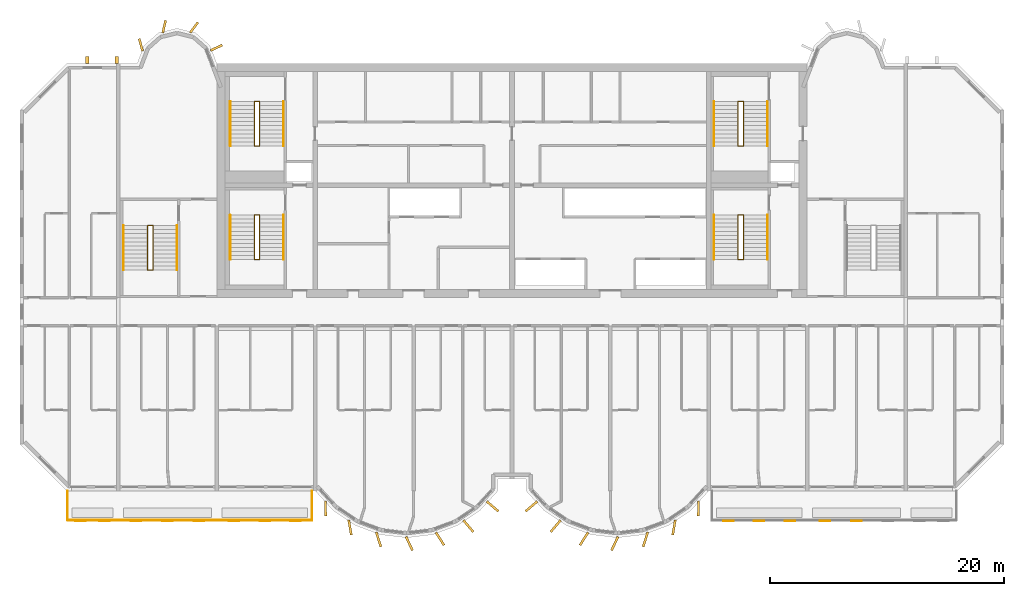
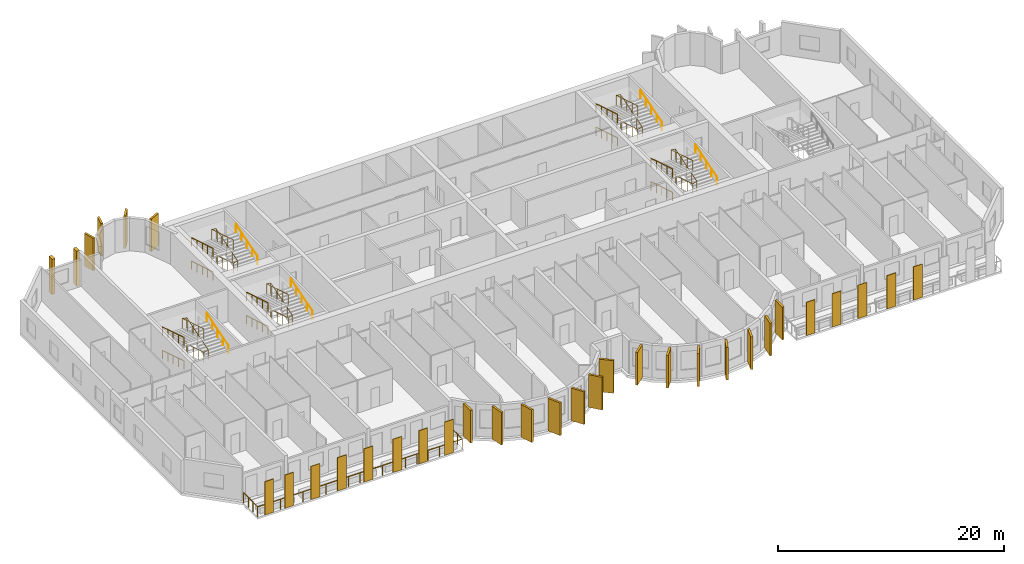
# One storey, part 11 of 13: 33 coverings, 21 railings.
"""IFC4 building model written with IfcOpenShell, lengths in metres."""

from ifc_helpers import new_model, si_unit, direction, frame, origin, origin_2d, place, context, subcontext, project, spatial, rectangle, circle, extrude, source, transform, mapped, material, layer, layer_set, material_profile, profile_set, type_object, element, save


model = new_model("IFC4")

# Units and contexts
model_context = context("Model", 3, precision=1e-05, world=origin(), true_north=direction((0.0, 1.0)))
body_context = subcontext(model_context, "Body", "Model", "MODEL_VIEW")
ifc_project = project(units=[si_unit("LENGTHUNIT", "METRE"), si_unit("AREAUNIT", "SQUARE_METRE"), si_unit("VOLUMEUNIT", "CUBIC_METRE"), si_unit("PLANEANGLEUNIT", "RADIAN"), si_unit("MASSUNIT", "GRAM", prefix="KILO")], contexts=[model_context])

# Site, building, storey
site_placement = place(None, origin())
site = spatial("IfcSite", under=ifc_project, at=site_placement, CompositionType="ELEMENT")
building_placement = place(site_placement, origin())
building = spatial("IfcBuilding", under=site, at=building_placement, Name="Vanashikhar Sky Hotel", CompositionType="ELEMENT")
storey_placement = place(building_placement, frame((0.0, 0.0, 182.0)))
storey = spatial("IfcBuildingStorey", under=building, at=storey_placement, Name="L44", CompositionType="ELEMENT", Elevation=182.0)

# Coverings
ifc_material_1 = material(Name="Terracotta", Category="masonry")
ifc_layer = layer(ifc_material_1, 0.06005859375)
ifc_layer_set = layer_set([ifc_layer], Name="Terracotta baguette screen")
covering_type_1 = type_object("IfcCoveringType", Name="Terracotta baguette screen", PredefinedType="CLADDING", material=ifc_layer_set)
shared_shape_1 = source(origin(), body_context, "Body", "SweptSolid", [
    extrude(rectangle(XDim=0.89990234375, YDim=0.06005859375, at=origin_2d()), origin(), (0.0, 0.0, 1.0), 3.60009765625),
])
for number, where, z_axis, x_axis, name in (
    (1, (13.574951171875, 2.929931640625, -0.050048828125), (0.0, 0.0, 1.0), (1.0, 0.0, 0.0), "Terracotta screen"),
    (2, (15.625, 2.929931640625, -0.050048828125), (0.0, 0.0, 1.0), (1.0, 0.0, 0.0), "Terracotta screen"),
    (3, (18.300048828125, 2.929931640625, -0.050048828125), (0.0, 0.0, 1.0), (1.0, 0.0, 0.0), "Terracotta screen"),
    (4, (21.0, 2.929931640625, -0.050048828125), (0.0, 0.0, 1.0), (1.0, 0.0, 0.0), "Terracotta screen"),
    (5, (23.699951171875, 2.929931640625, -0.050048828125), (0.0, 0.0, 1.0), (1.0, 0.0, 0.0), "Terracotta screen"),
    (6, (26.666748046875, 2.929931640625, -0.050048828125), (0.0, 0.0, 1.0), (1.0, 0.0, 0.0), "Terracotta screen"),
    (7, (29.300048828125, 2.929931640625, -0.050048828125), (0.0, 0.0, 1.0), (1.0, 0.0, 0.0), "Terracotta screen"),
    (8, (31.933349609375, 2.929931640625, -0.050048828125), (0.0, 0.0, 1.0), (1.0, 0.0, 0.0), "Terracotta screen"),
    (9, (68.86669921875, 2.929931640625, -0.050048828125), (0.0, 0.0, 1.0), (1.0, 0.0, 0.0), "Terracotta screen"),
    (10, (71.5, 2.929931640625, -0.050048828125), (0.0, 0.0, 1.0), (1.0, 0.0, 0.0), "Terracotta screen"),
    (11, (74.13330078125, 2.929931640625, -0.050048828125), (0.0, 0.0, 1.0), (1.0, 0.0, 0.0), "Terracotta screen"),
    (12, (77.10009765625, 2.929931640625, -0.050048828125), (0.0, 0.0, 1.0), (1.0, 0.0, 0.0), "Terracotta screen"),
    (13, (79.800048828125, 2.929931640625, -0.050048828125), (0.0, 0.0, 1.0), (1.0, 0.0, 0.0), "Terracotta screen"),
):
    element("IfcCovering", number, at=place(storey_placement, frame(where, z_axis=z_axis, x_axis=x_axis)), inside=storey, type_object=covering_type_1, Name=name, PredefinedType="CLADDING", context=body_context, shape_type="MappedRepresentation", body=[
        mapped(shared_shape_1, transform((0.0, 0.0, 0.0), scale=1.0)),
    ])
ifc_material_2 = material(Name="Concrete M60 dark", Category="concrete")
ifc_material_profile_1 = material_profile(ifc_material_2, rectangle(XDim=1.300048828125, YDim=0.199951171875, at=origin_2d()))
ifc_profile_set_1 = profile_set([ifc_material_profile_1], Name="Fin 1300 x 200")
covering_type_2 = type_object("IfcCoveringType", Name="Fin 1300 x 200", PredefinedType="CLADDING", material=ifc_profile_set_1)
shared_shape_2 = source(origin(), body_context, "Body", "SweptSolid", [
    extrude(rectangle(XDim=1.300048828125, YDim=0.199951171875, at=origin_2d()), origin(), (0.0, 0.0, 1.0), 3.52001953125),
])
for number, where, z_axis, x_axis, name in (
    (14, (34.482421875, 3.992919921875, 0.0), (0.0, 0.0, 1.0), (0.011588726826, -0.999932848451, 0.0), "Fin F1-1"),
    (15, (36.572509765625, 2.3779296875, 0.0), (0.0, 0.0, 1.0), (0.16989991575, -0.985461322746, 0.0), "Fin F1-2"),
    (16, (39.00830078125, 1.35693359375, 0.0), (0.0, 0.0, 1.0), (0.303966551867, -0.952682704444, 0.0), "Fin F1-3"),
    (17, (41.63232421875, 1.00146484375, 0.0), (0.0, 0.0, 1.0), (0.422618261741, -0.906307787037, 0.0), "Fin F1-4"),
    (18, (44.251953125, 1.416015625, 0.0), (0.0, 0.0, 1.0), (0.534411358496, -0.845224526331, 0.0), "Fin F1-5"),
    (19, (46.676025390625, 2.5, 0.0), (0.0, 0.0, 1.0), (0.645697609467, -0.763593214433, 0.0), "Fin F1-6"),
    (20, (48.7412109375, 4.1845703125, 0.0), (0.0, 0.0, 1.0), (0.758543912032, -0.65162192529, 0.0), "Fin F1-7"),
    (21, (52.058837890625, 4.1845703125, 0.0), (0.0, 0.0, 1.0), (-0.758543912032, -0.65162192529, 0.0), "Fin F2-1"),
    (22, (54.123779296875, 2.5, 0.0), (0.0, 0.0, 1.0), (-0.645697609467, -0.763593214433, 0.0), "Fin F2-2"),
    (23, (56.547119140625, 1.416015625, 0.0), (0.0, 0.0, 1.0), (-0.534411358496, -0.845224526331, 0.0), "Fin F2-3"),
    (24, (59.16748046875, 1.00146484375, 0.0), (0.0, 0.0, 1.0), (-0.422618261741, -0.906307787037, 0.0), "Fin F2-4"),
    (25, (61.790771484375, 1.35693359375, 0.0), (0.0, 0.0, 1.0), (-0.303966551867, -0.952682704444, 0.0), "Fin F2-5"),
    (26, (64.2275390625, 2.3779296875, 0.0), (0.0, 0.0, 1.0), (-0.16989991575, -0.985461322746, 0.0), "Fin F2-6"),
    (27, (66.317626953125, 3.992919921875, 0.0), (0.0, 0.0, 1.0), (-0.011588726826, -0.999932848451, 0.0), "Fin F2-7"),
):
    element("IfcCovering", number, at=place(storey_placement, frame(where, z_axis=z_axis, x_axis=x_axis)), inside=storey, type_object=covering_type_2, Name=name, PredefinedType="CLADDING", context=body_context, shape_type="MappedRepresentation", body=[
        mapped(shared_shape_2, transform((0.0, 0.0, 0.0), scale=1.0)),
    ])
ifc_material_profile_2 = material_profile(ifc_material_2, rectangle(XDim=1.10009765625, YDim=0.199951171875, at=origin_2d()))
ifc_profile_set_2 = profile_set([ifc_material_profile_2], Name="Rear lobe fin 1100 x 200")
covering_type_3 = type_object("IfcCoveringType", Name="Rear lobe fin 1100 x 200", PredefinedType="CLADDING", material=ifc_profile_set_2)
shared_shape_3 = source(origin(), body_context, "Body", "SweptSolid", [
    extrude(rectangle(XDim=1.10009765625, YDim=0.199951171875, at=origin_2d()), origin(), (0.0, 0.0, 1.0), 3.52001953125),
])
for number, where, z_axis, x_axis, name in (
    (28, (18.720703125, 43.580078125, 0.0), (0.0, 0.0, 1.0), (-0.262711264409, 0.964874495234, 0.0), "Fin R1-1"),
    (29, (20.710205078125, 45.1455078125, 0.0), (0.0, 0.0, 1.0), (0.224644935864, 0.974440687159, 0.0), "Fin R1-2"),
    (30, (23.261962890625, 45.06640625, 0.0), (0.0, 0.0, 1.0), (0.602065892195, 0.798446404874, 0.0), "Fin R1-3"),
    (31, (25.169677734375, 43.33447265625, 0.0), (0.0, 0.0, 1.0), (0.908004291068, 0.418960866193, 0.0), "Fin R1-4"),
):
    element("IfcCovering", number, at=place(storey_placement, frame(where, z_axis=z_axis, x_axis=x_axis)), inside=storey, type_object=covering_type_3, Name=name, PredefinedType="CLADDING", context=body_context, shape_type="MappedRepresentation", body=[
        mapped(shared_shape_3, transform((0.0, 0.0, 0.0), scale=1.0)),
    ])

# Railing
ifc_material_3 = material(Name="Stainless steel 316", Category="steel")
railing_type_1 = type_object("IfcRailingType", Name="Balcony guard 1100", PredefinedType="GUARDRAIL", material=ifc_material_3)
shared_shape_4 = source(origin(), body_context, "Body", "SweptSolid", [
    extrude(circle(Radius=0.02392578125, at=origin_2d()), frame((0.0, 0.0, 1.076171875), z_axis=(0.0, -1.0, 0.0), x_axis=(1.0, 0.0, 0.0)), (0.0, 0.0, 1.0), 2.5),
    extrude(circle(Radius=0.02392578125, at=origin_2d()), frame((0.0, -2.5, 1.076171875), z_axis=(1.0, 0.0, 0.0), x_axis=(0.0, 1.0, 0.0)), (0.0, 0.0, 1.0), 20.880126953125),
    extrude(circle(Radius=0.02392578125, at=origin_2d()), frame((20.880126953125, -2.5, 1.076171875), z_axis=(0.0, 1.0, 0.0), x_axis=(-1.0, 0.0, 0.0)), (0.0, 0.0, 1.0), 2.5),
    extrude(circle(Radius=0.02099609375, at=origin_2d()), origin(), (0.0, 0.0, 1.0), 1.052001953125),
    extrude(circle(Radius=0.02099609375, at=origin_2d()), frame((0.0, -0.833251953125, 0.0)), (0.0, 0.0, 1.0), 1.052001953125),
    extrude(circle(Radius=0.02099609375, at=origin_2d()), frame((0.0, -1.666748046875, 0.0)), (0.0, 0.0, 1.0), 1.052001953125),
    extrude(circle(Radius=0.02099609375, at=origin_2d()), frame((0.0, -2.5, 0.0)), (0.0, 0.0, 1.0), 1.052001953125),
    extrude(circle(Radius=0.02099609375, at=origin_2d()), frame((1.159912109375, -2.5, 0.0)), (0.0, 0.0, 1.0), 1.052001953125),
    extrude(circle(Radius=0.02099609375, at=origin_2d()), frame((2.320068359375, -2.5, 0.0)), (0.0, 0.0, 1.0), 1.052001953125),
    extrude(circle(Radius=0.02099609375, at=origin_2d()), frame((3.47998046875, -2.5, 0.0)), (0.0, 0.0, 1.0), 1.052001953125),
    extrude(circle(Radius=0.02099609375, at=origin_2d()), frame((4.64013671875, -2.5, 0.0)), (0.0, 0.0, 1.0), 1.052001953125),
    extrude(circle(Radius=0.02099609375, at=origin_2d()), frame((5.800048828125, -2.5, 0.0)), (0.0, 0.0, 1.0), 1.052001953125),
    extrude(circle(Radius=0.02099609375, at=origin_2d()), frame((6.9599609375, -2.5, 0.0)), (0.0, 0.0, 1.0), 1.052001953125),
    extrude(circle(Radius=0.02099609375, at=origin_2d()), frame((8.1201171875, -2.5, 0.0)), (0.0, 0.0, 1.0), 1.052001953125),
    extrude(circle(Radius=0.02099609375, at=origin_2d()), frame((9.280029296875, -2.5, 0.0)), (0.0, 0.0, 1.0), 1.052001953125),
    extrude(circle(Radius=0.02099609375, at=origin_2d()), frame((10.43994140625, -2.5, 0.0)), (0.0, 0.0, 1.0), 1.052001953125),
    extrude(circle(Radius=0.02099609375, at=origin_2d()), frame((11.60009765625, -2.5, 0.0)), (0.0, 0.0, 1.0), 1.052001953125),
    extrude(circle(Radius=0.02099609375, at=origin_2d()), frame((12.760009765625, -2.5, 0.0)), (0.0, 0.0, 1.0), 1.052001953125),
    extrude(circle(Radius=0.02099609375, at=origin_2d()), frame((13.920166015625, -2.5, 0.0)), (0.0, 0.0, 1.0), 1.052001953125),
    extrude(circle(Radius=0.02099609375, at=origin_2d()), frame((15.080078125, -2.5, 0.0)), (0.0, 0.0, 1.0), 1.052001953125),
    extrude(circle(Radius=0.02099609375, at=origin_2d()), frame((16.239990234375, -2.5, 0.0)), (0.0, 0.0, 1.0), 1.052001953125),
    extrude(circle(Radius=0.02099609375, at=origin_2d()), frame((17.400146484375, -2.5, 0.0)), (0.0, 0.0, 1.0), 1.052001953125),
    extrude(circle(Radius=0.02099609375, at=origin_2d()), frame((18.56005859375, -2.5, 0.0)), (0.0, 0.0, 1.0), 1.052001953125),
    extrude(circle(Radius=0.02099609375, at=origin_2d()), frame((19.72021484375, -2.5, 0.0)), (0.0, 0.0, 1.0), 1.052001953125),
    extrude(circle(Radius=0.02099609375, at=origin_2d()), frame((20.880126953125, -2.5, 0.0)), (0.0, 0.0, 1.0), 1.052001953125),
    extrude(circle(Radius=0.02099609375, at=origin_2d()), frame((20.880126953125, -1.666748046875, 0.0)), (0.0, 0.0, 1.0), 1.052001953125),
    extrude(circle(Radius=0.02099609375, at=origin_2d()), frame((20.880126953125, -0.833251953125, 0.0)), (0.0, 0.0, 1.0), 1.052001953125),
    extrude(circle(Radius=0.02099609375, at=origin_2d()), frame((20.880126953125, 0.0, 0.0)), (0.0, 0.0, 1.0), 1.052001953125),
])
railing_1_placement = place(storey_placement, frame((12.4599609375, 5.5, -0.050048828125)))
element("IfcRailing", 32, at=railing_1_placement, inside=storey, type_object=railing_type_1, Name="Balcony guard", PredefinedType="GUARDRAIL", context=body_context, shape_type="MappedRepresentation", body=[
    mapped(shared_shape_4, transform((0.0, 0.0, 0.0), scale=1.0)),
])

# Coverings
ifc_material_profile_3 = material_profile(ifc_material_2, rectangle(XDim=0.60009765625, YDim=0.300048828125, at=origin_2d()))
ifc_profile_set_3 = profile_set([ifc_material_profile_3], Name="Rear rib 600 x 300")
covering_type_4 = type_object("IfcCoveringType", Name="Rear rib 600 x 300", PredefinedType="CLADDING", material=ifc_profile_set_3)
shared_shape_5 = source(origin(), body_context, "Body", "SweptSolid", [
    extrude(rectangle(XDim=0.60009765625, YDim=0.300048828125, at=origin_2d()), origin(), (0.0, 0.0, 1.0), 3.800048828125),
])
for number, where, z_axis, x_axis, name in (
    (33, (14.14990234375, 42.300048828125, -0.280029296875), (0.0, 0.0, 1.0), (0.0, 1.0, 0.0), "Rear rib"),
    (34, (16.64990234375, 42.300048828125, -0.280029296875), (0.0, 0.0, 1.0), (0.0, 1.0, 0.0), "Rear rib"),
):
    element("IfcCovering", number, at=place(storey_placement, frame(where, z_axis=z_axis, x_axis=x_axis)), inside=storey, type_object=covering_type_4, Name=name, PredefinedType="CLADDING", context=body_context, shape_type="MappedRepresentation", body=[
        mapped(shared_shape_5, transform((0.0, 0.0, 0.0), scale=1.0)),
    ])

# Railings
ifc_material_4 = material(Name="Steel S355", Category="steel")
railing_type_2 = type_object("IfcRailingType", Name="Stair handrail 900", PredefinedType="HANDRAIL", material=ifc_material_4)
shared_shape_6 = source(origin(), body_context, "Body", "SweptSolid", [
    extrude(circle(Radius=0.02392578125, at=origin_2d()), frame((0.0, 0.0, 0.8759765625), z_axis=(0.0, 0.95635109408, 0.292220096591), x_axis=(-1.0, 0.0, 0.0)), (0.0, 0.0, 1.0), 3.973388671875),
    extrude(circle(Radius=0.02099609375, at=origin_2d()), origin(), (0.0, 0.0, 1.0), 0.851806640625),
    extrude(circle(Radius=0.02099609375, at=origin_2d()), frame((0.0, 0.949951171875, 0.290283203125)), (0.0, 0.0, 1.0), 0.851806640625),
    extrude(circle(Radius=0.02099609375, at=origin_2d()), frame((0.0, 1.89990234375, 0.58056640625)), (0.0, 0.0, 1.0), 0.851806640625),
    extrude(circle(Radius=0.02099609375, at=origin_2d()), frame((0.0, 2.85009765625, 0.870849609375)), (0.0, 0.0, 1.0), 0.851806640625),
    extrude(circle(Radius=0.02099609375, at=origin_2d()), frame((0.0, 3.800048828125, 1.1611328125)), (0.0, 0.0, 1.0), 0.851806640625),
])
for number, where, name in (
    (35, (30.89990234375, 25.25, 1.372314453125), "Exit stair 1 handrail"),
    (36, (72.199951171875, 25.25, 1.372314453125), "Exit stair 2 handrail"),
    (37, (30.89990234375, 34.949951171875, 1.372314453125), "Exit stair 5 handrail"),
    (38, (72.199951171875, 34.949951171875, 1.372314453125), "Exit stair 6 handrail"),
):
    element("IfcRailing", number, at=place(storey_placement, frame(where)), inside=storey, type_object=railing_type_2, Name=name, PredefinedType="HANDRAIL", context=body_context, shape_type="MappedRepresentation", body=[
        mapped(shared_shape_6, transform((0.0, 0.0, 0.0), scale=1.0)),
    ])
shared_shape_7 = source(origin(), body_context, "Body", "SweptSolid", [
    extrude(circle(Radius=0.02392578125, at=origin_2d()), frame((0.0, 0.0, 0.8759765625), z_axis=(0.0, -0.95635109408, 0.292220096591), x_axis=(1.0, 0.0, 0.0)), (0.0, 0.0, 1.0), 3.973388671875),
    extrude(circle(Radius=0.02099609375, at=origin_2d()), origin(), (0.0, 0.0, 1.0), 0.851806640625),
    extrude(circle(Radius=0.02099609375, at=origin_2d()), frame((0.0, -0.949951171875, 0.290283203125)), (0.0, 0.0, 1.0), 0.851806640625),
    extrude(circle(Radius=0.02099609375, at=origin_2d()), frame((0.0, -1.89990234375, 0.58056640625)), (0.0, 0.0, 1.0), 0.851806640625),
    extrude(circle(Radius=0.02099609375, at=origin_2d()), frame((0.0, -2.85009765625, 0.870849609375)), (0.0, 0.0, 1.0), 0.851806640625),
    extrude(circle(Radius=0.02099609375, at=origin_2d()), frame((0.0, -3.800048828125, 1.1611328125)), (0.0, 0.0, 1.0), 0.851806640625),
])
for number, where, name in (
    (39, (26.35009765625, 29.050048828125, 0.10546875), "Exit stair 1 handrail"),
    (40, (26.35009765625, 29.050048828125, 2.638916015625), "Exit stair 1 handrail"),
    (41, (67.64990234375, 29.050048828125, 0.10546875), "Exit stair 2 handrail"),
    (42, (67.64990234375, 29.050048828125, 2.638916015625), "Exit stair 2 handrail"),
    (43, (26.35009765625, 38.75, 0.10546875), "Exit stair 5 handrail"),
    (44, (26.35009765625, 38.75, 2.638916015625), "Exit stair 5 handrail"),
    (45, (67.64990234375, 38.75, 0.10546875), "Exit stair 6 handrail"),
    (46, (67.64990234375, 38.75, 2.638916015625), "Exit stair 6 handrail"),
):
    element("IfcRailing", number, at=place(storey_placement, frame(where)), inside=storey, type_object=railing_type_2, Name=name, PredefinedType="HANDRAIL", context=body_context, shape_type="MappedRepresentation", body=[
        mapped(shared_shape_7, transform((0.0, 0.0, 0.0), scale=1.0)),
    ])
railing_type_3 = type_object("IfcRailingType", Name="Stair guard 1100", PredefinedType="GUARDRAIL", material=ifc_material_4)
shared_shape_8 = source(origin(), body_context, "Body", "SweptSolid", [
    extrude(circle(Radius=0.02392578125, at=origin_2d()), frame((0.0, 0.0, 1.076171875), z_axis=(-0.973638301096, 0.0, 0.228097476179), x_axis=(0.0, -1.0, 0.0)), (0.0, 0.0, 1.0), 0.46240234375),
    extrude(circle(Radius=0.02392578125, at=origin_2d()), frame((-0.4501953125, 0.0, 1.181640625), z_axis=(0.0, -0.95635109408, 0.292220096591), x_axis=(1.0, 0.0, 0.0)), (0.0, 0.0, 1.0), 3.973388671875),
    extrude(circle(Radius=0.02392578125, at=origin_2d()), frame((-0.4501953125, -3.800048828125, 2.3427734375), z_axis=(0.973520925263, 0.0, 0.228597917917), x_axis=(0.0, 1.0, 0.0)), (0.0, 0.0, 1.0), 0.46240234375),
    extrude(circle(Radius=0.02392578125, at=origin_2d()), frame((0.0, -3.800048828125, 2.4482421875), z_axis=(0.0, 0.95635109408, 0.292220096591), x_axis=(-1.0, 0.0, 0.0)), (0.0, 0.0, 1.0), 3.973388671875),
    extrude(circle(Radius=0.02392578125, at=origin_2d()), frame((0.0, 0.0, 3.609375), z_axis=(-0.973638301096, 0.0, 0.228097476179), x_axis=(0.0, -1.0, 0.0)), (0.0, 0.0, 1.0), 0.46240234375),
    extrude(circle(Radius=0.02392578125, at=origin_2d()), frame((-0.4501953125, 0.0, 3.71484375), z_axis=(0.0, -0.95635109408, 0.292220096591), x_axis=(1.0, 0.0, 0.0)), (0.0, 0.0, 1.0), 3.973388671875),
    extrude(circle(Radius=0.02099609375, at=origin_2d()), origin(), (0.0, 0.0, 1.0), 1.052001953125),
    extrude(circle(Radius=0.02099609375, at=origin_2d()), frame((-0.4501953125, 0.0, 0.10546875)), (0.0, 0.0, 1.0), 1.052001953125),
    extrude(circle(Radius=0.02099609375, at=origin_2d()), frame((-0.4501953125, -0.949951171875, 0.395751953125)), (0.0, 0.0, 1.0), 1.052001953125),
    extrude(circle(Radius=0.02099609375, at=origin_2d()), frame((-0.4501953125, -1.89990234375, 0.68603515625)), (0.0, 0.0, 1.0), 1.052001953125),
    extrude(circle(Radius=0.02099609375, at=origin_2d()), frame((-0.4501953125, -2.85009765625, 0.976318359375)), (0.0, 0.0, 1.0), 1.052001953125),
    extrude(circle(Radius=0.02099609375, at=origin_2d()), frame((-0.4501953125, -3.800048828125, 1.2666015625)), (0.0, 0.0, 1.0), 1.052001953125),
    extrude(circle(Radius=0.02099609375, at=origin_2d()), frame((0.0, -3.800048828125, 1.372314453125)), (0.0, 0.0, 1.0), 1.052001953125),
    extrude(circle(Radius=0.02099609375, at=origin_2d()), frame((0.0, -2.85009765625, 1.66259765625)), (0.0, 0.0, 1.0), 1.052001953125),
    extrude(circle(Radius=0.02099609375, at=origin_2d()), frame((0.0, -1.89990234375, 1.952880859375)), (0.0, 0.0, 1.0), 1.052001953125),
    extrude(circle(Radius=0.02099609375, at=origin_2d()), frame((0.0, -0.949951171875, 2.2431640625)), (0.0, 0.0, 1.0), 1.052001953125),
    extrude(circle(Radius=0.02099609375, at=origin_2d()), frame((0.0, 0.0, 2.533447265625)), (0.0, 0.0, 1.0), 1.052001953125),
    extrude(circle(Radius=0.02099609375, at=origin_2d()), frame((-0.4501953125, 0.0, 2.638916015625)), (0.0, 0.0, 1.0), 1.052001953125),
    extrude(circle(Radius=0.02099609375, at=origin_2d()), frame((-0.4501953125, -0.949951171875, 2.92919921875)), (0.0, 0.0, 1.0), 1.052001953125),
    extrude(circle(Radius=0.02099609375, at=origin_2d()), frame((-0.4501953125, -1.89990234375, 3.219482421875)), (0.0, 0.0, 1.0), 1.052001953125),
    extrude(circle(Radius=0.02099609375, at=origin_2d()), frame((-0.4501953125, -2.85009765625, 3.509765625)), (0.0, 0.0, 1.0), 1.052001953125),
    extrude(circle(Radius=0.02099609375, at=origin_2d()), frame((-0.4501953125, -3.800048828125, 3.800048828125)), (0.0, 0.0, 1.0), 1.052001953125),
])
for number, where, name in (
    (47, (28.85009765625, 29.050048828125, 0.0), "Exit stair 1 guard"),
    (48, (28.85009765625, 38.75, 0.0), "Exit stair 5 guard"),
):
    element("IfcRailing", number, at=place(storey_placement, frame(where)), inside=storey, type_object=railing_type_3, Name=name, PredefinedType="GUARDRAIL", context=body_context, shape_type="MappedRepresentation", body=[
        mapped(shared_shape_8, transform((0.0, 0.0, 0.0), scale=1.0)),
    ])
shared_shape_9 = source(origin(), body_context, "Body", "SweptSolid", [
    extrude(circle(Radius=0.02392578125, at=origin_2d()), frame((0.0, 0.0, 1.076171875), z_axis=(-0.973610808694, 0.0, 0.228214796178), x_axis=(0.0, -1.0, 0.0)), (0.0, 0.0, 1.0), 0.462158203125),
    extrude(circle(Radius=0.02392578125, at=origin_2d()), frame((-0.449951171875, 0.0, 1.181640625), z_axis=(0.0, -0.95635109408, 0.292220096591), x_axis=(1.0, 0.0, 0.0)), (0.0, 0.0, 1.0), 3.973388671875),
    extrude(circle(Radius=0.02392578125, at=origin_2d()), frame((-0.449951171875, -3.800048828125, 2.3427734375), z_axis=(0.973493315427, 0.0, 0.228715466945), x_axis=(0.0, 1.0, 0.0)), (0.0, 0.0, 1.0), 0.462158203125),
    extrude(circle(Radius=0.02392578125, at=origin_2d()), frame((0.0, -3.800048828125, 2.4482421875), z_axis=(0.0, 0.95635109408, 0.292220096591), x_axis=(-1.0, 0.0, 0.0)), (0.0, 0.0, 1.0), 3.973388671875),
    extrude(circle(Radius=0.02392578125, at=origin_2d()), frame((0.0, 0.0, 3.609375), z_axis=(-0.973610808694, 0.0, 0.228214796178), x_axis=(0.0, -1.0, 0.0)), (0.0, 0.0, 1.0), 0.462158203125),
    extrude(circle(Radius=0.02392578125, at=origin_2d()), frame((-0.449951171875, 0.0, 3.71484375), z_axis=(0.0, -0.95635109408, 0.292220096591), x_axis=(1.0, 0.0, 0.0)), (0.0, 0.0, 1.0), 3.973388671875),
    extrude(circle(Radius=0.02099609375, at=origin_2d()), origin(), (0.0, 0.0, 1.0), 1.052001953125),
    extrude(circle(Radius=0.02099609375, at=origin_2d()), frame((-0.449951171875, 0.0, 0.10546875)), (0.0, 0.0, 1.0), 1.052001953125),
    extrude(circle(Radius=0.02099609375, at=origin_2d()), frame((-0.449951171875, -0.949951171875, 0.395751953125)), (0.0, 0.0, 1.0), 1.052001953125),
    extrude(circle(Radius=0.02099609375, at=origin_2d()), frame((-0.449951171875, -1.89990234375, 0.68603515625)), (0.0, 0.0, 1.0), 1.052001953125),
    extrude(circle(Radius=0.02099609375, at=origin_2d()), frame((-0.449951171875, -2.85009765625, 0.976318359375)), (0.0, 0.0, 1.0), 1.052001953125),
    extrude(circle(Radius=0.02099609375, at=origin_2d()), frame((-0.449951171875, -3.800048828125, 1.2666015625)), (0.0, 0.0, 1.0), 1.052001953125),
    extrude(circle(Radius=0.02099609375, at=origin_2d()), frame((0.0, -3.800048828125, 1.372314453125)), (0.0, 0.0, 1.0), 1.052001953125),
    extrude(circle(Radius=0.02099609375, at=origin_2d()), frame((0.0, -2.85009765625, 1.66259765625)), (0.0, 0.0, 1.0), 1.052001953125),
    extrude(circle(Radius=0.02099609375, at=origin_2d()), frame((0.0, -1.89990234375, 1.952880859375)), (0.0, 0.0, 1.0), 1.052001953125),
    extrude(circle(Radius=0.02099609375, at=origin_2d()), frame((0.0, -0.949951171875, 2.2431640625)), (0.0, 0.0, 1.0), 1.052001953125),
    extrude(circle(Radius=0.02099609375, at=origin_2d()), frame((0.0, 0.0, 2.533447265625)), (0.0, 0.0, 1.0), 1.052001953125),
    extrude(circle(Radius=0.02099609375, at=origin_2d()), frame((-0.449951171875, 0.0, 2.638916015625)), (0.0, 0.0, 1.0), 1.052001953125),
    extrude(circle(Radius=0.02099609375, at=origin_2d()), frame((-0.449951171875, -0.949951171875, 2.92919921875)), (0.0, 0.0, 1.0), 1.052001953125),
    extrude(circle(Radius=0.02099609375, at=origin_2d()), frame((-0.449951171875, -1.89990234375, 3.219482421875)), (0.0, 0.0, 1.0), 1.052001953125),
    extrude(circle(Radius=0.02099609375, at=origin_2d()), frame((-0.449951171875, -2.85009765625, 3.509765625)), (0.0, 0.0, 1.0), 1.052001953125),
    extrude(circle(Radius=0.02099609375, at=origin_2d()), frame((-0.449951171875, -3.800048828125, 3.800048828125)), (0.0, 0.0, 1.0), 1.052001953125),
])
for number, where, name in (
    (49, (70.14990234375, 29.050048828125, 0.0), "Exit stair 2 guard"),
    (50, (70.14990234375, 38.75, 0.0), "Exit stair 6 guard"),
):
    element("IfcRailing", number, at=place(storey_placement, frame(where)), inside=storey, type_object=railing_type_3, Name=name, PredefinedType="GUARDRAIL", context=body_context, shape_type="MappedRepresentation", body=[
        mapped(shared_shape_9, transform((0.0, 0.0, 0.0), scale=1.0)),
    ])
shared_shape_10 = source(origin(), body_context, "Body", "SweptSolid", [
    extrude(circle(Radius=0.02392578125, at=origin_2d()), frame((0.0, 0.0, 0.8759765625), z_axis=(0.0, 0.956345846891, 0.292237268557), x_axis=(-1.0, 0.0, 0.0)), (0.0, 0.0, 1.0), 3.97314453125),
    extrude(circle(Radius=0.02099609375, at=origin_2d()), origin(), (0.0, 0.0, 1.0), 0.851806640625),
    extrude(circle(Radius=0.02099609375, at=origin_2d()), frame((0.0, 0.949951171875, 0.290283203125)), (0.0, 0.0, 1.0), 0.851806640625),
    extrude(circle(Radius=0.02099609375, at=origin_2d()), frame((0.0, 1.89990234375, 0.58056640625)), (0.0, 0.0, 1.0), 0.851806640625),
    extrude(circle(Radius=0.02099609375, at=origin_2d()), frame((0.0, 2.849853515625, 0.870849609375)), (0.0, 0.0, 1.0), 0.851806640625),
    extrude(circle(Radius=0.02099609375, at=origin_2d()), frame((0.0, 3.7998046875, 1.1611328125)), (0.0, 0.0, 1.0), 0.851806640625),
])
railing_2_placement = place(storey_placement, frame((21.800048828125, 24.35009765625, 1.372314453125)))
element("IfcRailing", 51, at=railing_2_placement, inside=storey, type_object=railing_type_2, Name="Exit stair 3 handrail", PredefinedType="HANDRAIL", context=body_context, shape_type="MappedRepresentation", body=[
    mapped(shared_shape_10, transform((0.0, 0.0, 0.0), scale=1.0)),
])
shared_shape_11 = source(origin(), body_context, "Body", "SweptSolid", [
    extrude(circle(Radius=0.02392578125, at=origin_2d()), frame((0.0, 0.0, 0.8759765625), z_axis=(0.0, -0.956345846891, 0.292237268557), x_axis=(1.0, 0.0, 0.0)), (0.0, 0.0, 1.0), 3.97314453125),
    extrude(circle(Radius=0.02099609375, at=origin_2d()), origin(), (0.0, 0.0, 1.0), 0.851806640625),
    extrude(circle(Radius=0.02099609375, at=origin_2d()), frame((0.0, -0.949951171875, 0.290283203125)), (0.0, 0.0, 1.0), 0.851806640625),
    extrude(circle(Radius=0.02099609375, at=origin_2d()), frame((0.0, -1.89990234375, 0.58056640625)), (0.0, 0.0, 1.0), 0.851806640625),
    extrude(circle(Radius=0.02099609375, at=origin_2d()), frame((0.0, -2.849853515625, 0.870849609375)), (0.0, 0.0, 1.0), 0.851806640625),
    extrude(circle(Radius=0.02099609375, at=origin_2d()), frame((0.0, -3.7998046875, 1.1611328125)), (0.0, 0.0, 1.0), 0.851806640625),
])
for number, where, name in (
    (52, (17.25, 28.14990234375, 0.10546875), "Exit stair 3 handrail"),
    (53, (17.25, 28.14990234375, 2.638916015625), "Exit stair 3 handrail"),
):
    element("IfcRailing", number, at=place(storey_placement, frame(where)), inside=storey, type_object=railing_type_2, Name=name, PredefinedType="HANDRAIL", context=body_context, shape_type="MappedRepresentation", body=[
        mapped(shared_shape_11, transform((0.0, 0.0, 0.0), scale=1.0)),
    ])
shared_shape_12 = source(origin(), body_context, "Body", "SweptSolid", [
    extrude(circle(Radius=0.02392578125, at=origin_2d()), frame((0.0, 0.0, 1.076171875), z_axis=(-0.973610808694, 0.0, 0.228214796178), x_axis=(0.0, -1.0, 0.0)), (0.0, 0.0, 1.0), 0.462158203125),
    extrude(circle(Radius=0.02392578125, at=origin_2d()), frame((-0.449951171875, 0.0, 1.181640625), z_axis=(0.0, -0.956345846891, 0.292237268557), x_axis=(1.0, 0.0, 0.0)), (0.0, 0.0, 1.0), 3.97314453125),
    extrude(circle(Radius=0.02392578125, at=origin_2d()), frame((-0.449951171875, -3.7998046875, 2.3427734375), z_axis=(0.973493315427, 0.0, 0.228715466945), x_axis=(0.0, 1.0, 0.0)), (0.0, 0.0, 1.0), 0.462158203125),
    extrude(circle(Radius=0.02392578125, at=origin_2d()), frame((0.0, -3.7998046875, 2.4482421875), z_axis=(0.0, 0.956345846891, 0.292237268557), x_axis=(-1.0, 0.0, 0.0)), (0.0, 0.0, 1.0), 3.97314453125),
    extrude(circle(Radius=0.02392578125, at=origin_2d()), frame((0.0, 0.0, 3.609375), z_axis=(-0.973610808694, 0.0, 0.228214796178), x_axis=(0.0, -1.0, 0.0)), (0.0, 0.0, 1.0), 0.462158203125),
    extrude(circle(Radius=0.02392578125, at=origin_2d()), frame((-0.449951171875, 0.0, 3.71484375), z_axis=(0.0, -0.956345846891, 0.292237268557), x_axis=(1.0, 0.0, 0.0)), (0.0, 0.0, 1.0), 3.97314453125),
    extrude(circle(Radius=0.02099609375, at=origin_2d()), origin(), (0.0, 0.0, 1.0), 1.052001953125),
    extrude(circle(Radius=0.02099609375, at=origin_2d()), frame((-0.449951171875, 0.0, 0.10546875)), (0.0, 0.0, 1.0), 1.052001953125),
    extrude(circle(Radius=0.02099609375, at=origin_2d()), frame((-0.449951171875, -0.949951171875, 0.395751953125)), (0.0, 0.0, 1.0), 1.052001953125),
    extrude(circle(Radius=0.02099609375, at=origin_2d()), frame((-0.449951171875, -1.89990234375, 0.68603515625)), (0.0, 0.0, 1.0), 1.052001953125),
    extrude(circle(Radius=0.02099609375, at=origin_2d()), frame((-0.449951171875, -2.849853515625, 0.976318359375)), (0.0, 0.0, 1.0), 1.052001953125),
    extrude(circle(Radius=0.02099609375, at=origin_2d()), frame((-0.449951171875, -3.7998046875, 1.2666015625)), (0.0, 0.0, 1.0), 1.052001953125),
    extrude(circle(Radius=0.02099609375, at=origin_2d()), frame((0.0, -3.7998046875, 1.372314453125)), (0.0, 0.0, 1.0), 1.052001953125),
    extrude(circle(Radius=0.02099609375, at=origin_2d()), frame((0.0, -2.849853515625, 1.66259765625)), (0.0, 0.0, 1.0), 1.052001953125),
    extrude(circle(Radius=0.02099609375, at=origin_2d()), frame((0.0, -1.89990234375, 1.952880859375)), (0.0, 0.0, 1.0), 1.052001953125),
    extrude(circle(Radius=0.02099609375, at=origin_2d()), frame((0.0, -0.949951171875, 2.2431640625)), (0.0, 0.0, 1.0), 1.052001953125),
    extrude(circle(Radius=0.02099609375, at=origin_2d()), frame((0.0, 0.0, 2.533447265625)), (0.0, 0.0, 1.0), 1.052001953125),
    extrude(circle(Radius=0.02099609375, at=origin_2d()), frame((-0.449951171875, 0.0, 2.638916015625)), (0.0, 0.0, 1.0), 1.052001953125),
    extrude(circle(Radius=0.02099609375, at=origin_2d()), frame((-0.449951171875, -0.949951171875, 2.92919921875)), (0.0, 0.0, 1.0), 1.052001953125),
    extrude(circle(Radius=0.02099609375, at=origin_2d()), frame((-0.449951171875, -1.89990234375, 3.219482421875)), (0.0, 0.0, 1.0), 1.052001953125),
    extrude(circle(Radius=0.02099609375, at=origin_2d()), frame((-0.449951171875, -2.849853515625, 3.509765625)), (0.0, 0.0, 1.0), 1.052001953125),
    extrude(circle(Radius=0.02099609375, at=origin_2d()), frame((-0.449951171875, -3.7998046875, 3.800048828125)), (0.0, 0.0, 1.0), 1.052001953125),
])
railing_3_placement = place(storey_placement, frame((19.75, 28.14990234375, 0.0)))
element("IfcRailing", 54, at=railing_3_placement, inside=storey, type_object=railing_type_3, Name="Exit stair 3 guard", PredefinedType="GUARDRAIL", context=body_context, shape_type="MappedRepresentation", body=[
    mapped(shared_shape_12, transform((0.0, 0.0, 0.0), scale=1.0)),
])

save(model, "model.ifc")
